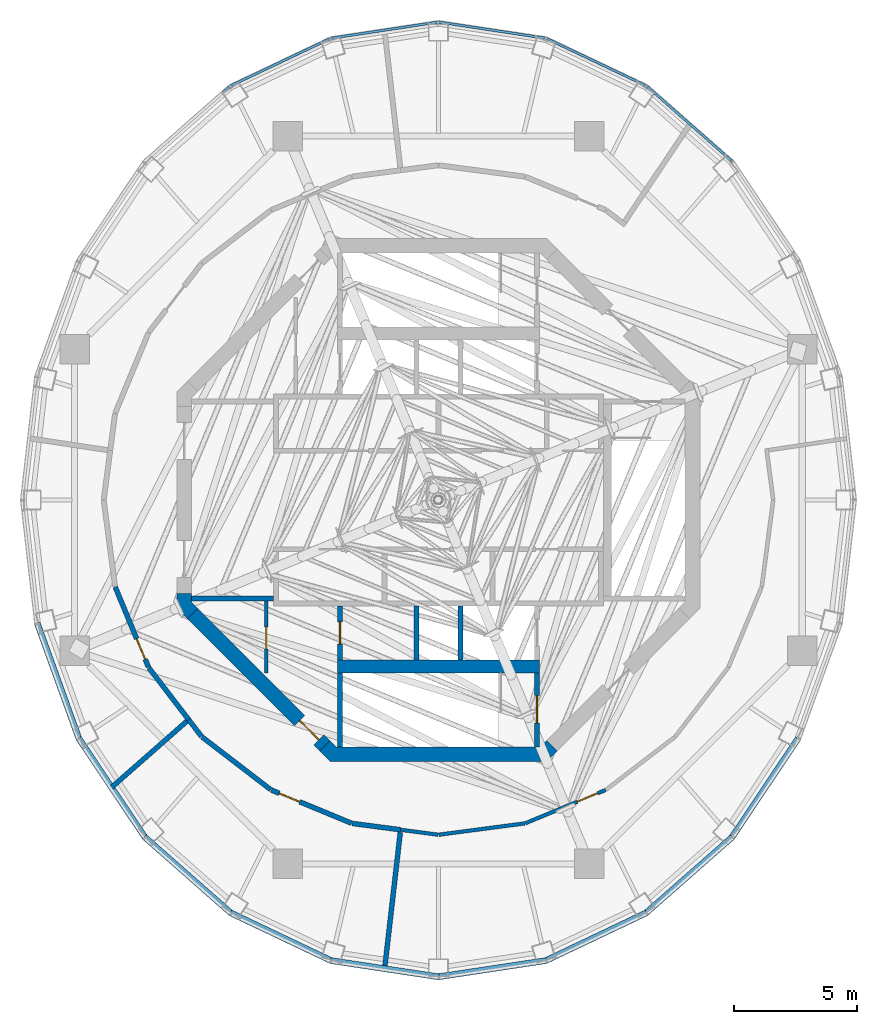
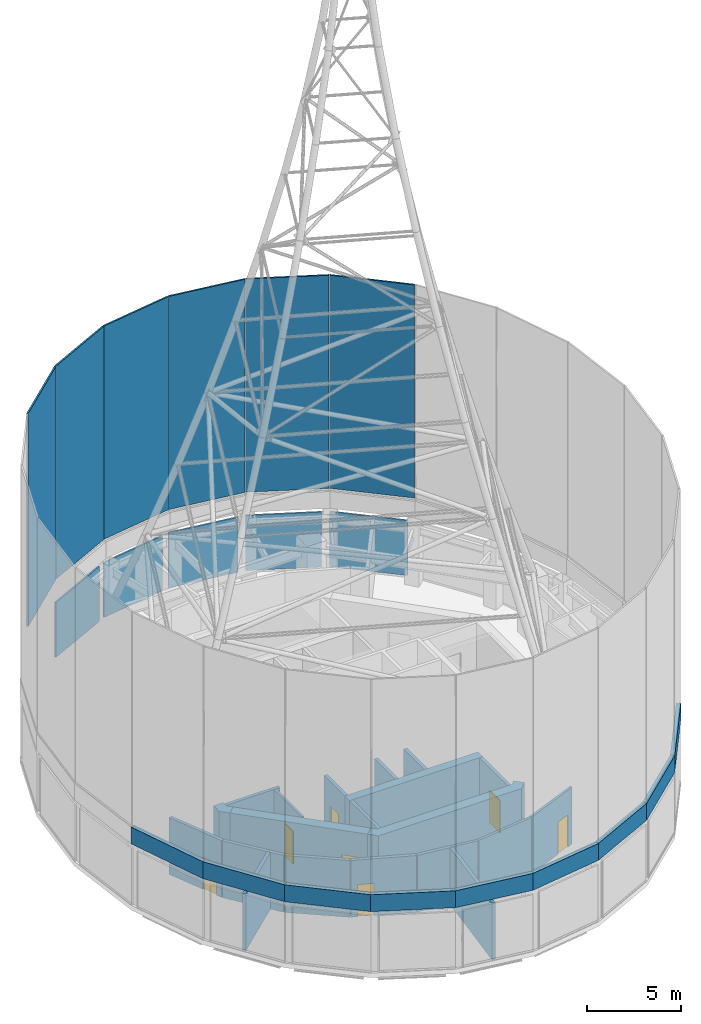
# One storey, part 21 of 25: 31 walls, 11 plates, 7 doors, 7 openings, 11 elements without a shape of their own.
"""IFC4 building model written with IfcOpenShell, lengths in metres."""

from ifc_helpers import new_model, si_unit, direction, frame, frame_2d, origin, origin_2d, place, context, subcontext, project, spatial, polyline, rectangle, outline, extrude, material, layer, layer_set, type_object, element, fill, aggregate, save


model = new_model("IFC4")

# Units and contexts
model_context = context("Model", 3, precision=1e-05, world=origin(), true_north=direction((0.0, 1.0)))
body_context = subcontext(model_context, "Body", "Model", "MODEL_VIEW")
ifc_project = project(units=[si_unit("LENGTHUNIT", "METRE"), si_unit("AREAUNIT", "SQUARE_METRE"), si_unit("VOLUMEUNIT", "CUBIC_METRE"), si_unit("PLANEANGLEUNIT", "RADIAN"), si_unit("MASSUNIT", "GRAM", prefix="KILO")], contexts=[model_context])

# Site, building, storey
site_placement = place(None, origin())
site = spatial("IfcSite", under=ifc_project, at=site_placement, CompositionType="ELEMENT")
building_placement = place(site_placement, origin())
building = spatial("IfcBuilding", under=site, at=building_placement, Name="Nagisa Residences", CompositionType="ELEMENT")
storey_placement = place(building_placement, frame((0.0, 0.0, 340.89990234375)))
storey = spatial("IfcBuildingStorey", under=building, at=storey_placement, Name="L84", CompositionType="ELEMENT", Elevation=340.89990234375)

# Curtain wall, plate
ifc_material_1 = material(Name="Aluminium curtain wall system", Category="aluminium")
ifc_layer_1 = layer(ifc_material_1, 0.159912109375)
ifc_layer_set_1 = layer_set([ifc_layer_1], Name="CW5 CURTAIN WALL")
curtain_wall_type = type_object("IfcCurtainWallType", Name="CW5 CURTAIN WALL", PredefinedType="NOTDEFINED", material=ifc_layer_set_1)
curtain_wall_1_placement = place(storey_placement, origin())
curtain_wall_1 = element("IfcCurtainWall", 1, at=curtain_wall_1_placement, inside=storey, type_object=curtain_wall_type, Name="cw:CW5:L84:03", PredefinedType="NOTDEFINED")
ifc_material_2 = material(Name="Aluminium louvre", Category="aluminium")
ifc_layer_2 = layer(ifc_material_2, 0.10009765625)
ifc_layer_set_2 = layer_set([ifc_layer_2], Name="CW5 LOUVRE PANEL")
plate_type = type_object("IfcPlateType", Name="CW5 LOUVRE PANEL", PredefinedType="CURTAIN_PANEL", material=ifc_layer_set_2)
plate_1_placement = place(storey_placement, frame((10.034912109375, 15.429931640625, 0.1201171875), z_axis=(0.0, 0.0, 1.0), x_axis=(-0.750650526795, 0.660699467703, 0.0)))
plate_1 = element("IfcPlate", 2, at=plate_1_placement, type_object=plate_type, Name="CW5 panel", PredefinedType="CURTAIN_PANEL", context=body_context, shape_type="SweptSolid", body=[
    extrude(rectangle(XDim=4.23046875, YDim=0.10009765625, at=origin_2d()), origin(), (0.0, 0.0, 1.0), 3.580078125),
])
aggregate(curtain_wall_1, [plate_1])

curtain_wall_2_placement = place(storey_placement, origin())
curtain_wall_2 = element("IfcCurtainWall", 3, at=curtain_wall_2_placement, inside=storey, type_object=curtain_wall_type, Name="cw:CW5:L84:04", PredefinedType="NOTDEFINED")
plate_2_placement = place(storey_placement, frame((6.2080078125, 17.887939453125, 0.1201171875), z_axis=(0.0, 0.0, 1.0), x_axis=(-0.903232929992, 0.429150642757, 0.0)))
plate_2 = element("IfcPlate", 4, at=plate_2_placement, type_object=plate_type, Name="CW5 panel", PredefinedType="CURTAIN_PANEL", context=body_context, shape_type="SweptSolid", body=[
    extrude(rectangle(XDim=4.079345703125, YDim=0.10009765625, at=origin_2d()), origin(), (0.0, 0.0, 1.0), 3.580078125),
])
aggregate(curtain_wall_2, [plate_2])

curtain_wall_3_placement = place(storey_placement, origin())
curtain_wall_3 = element("IfcCurtainWall", 5, at=curtain_wall_3_placement, inside=storey, type_object=curtain_wall_type, Name="cw:CW5:L84:05", PredefinedType="NOTDEFINED")
plate_3_placement = place(storey_placement, frame((1.960693359375, 19.123046875, 0.1201171875), z_axis=(0.0, 0.0, 1.0), x_axis=(-0.988788904158, 0.149320135997, 0.0)))
plate_3 = element("IfcPlate", 6, at=plate_3_placement, type_object=plate_type, Name="CW5 panel", PredefinedType="CURTAIN_PANEL", context=body_context, shape_type="SweptSolid", body=[
    extrude(rectangle(XDim=3.98974609375, YDim=0.10009765625, at=origin_2d()), origin(), (0.0, 0.0, 1.0), 3.580078125),
])
aggregate(curtain_wall_3, [plate_3])

curtain_wall_4_placement = place(storey_placement, origin())
curtain_wall_4 = element("IfcCurtainWall", 7, at=curtain_wall_4_placement, inside=storey, type_object=curtain_wall_type, Name="cw:CW5:L84:06", PredefinedType="NOTDEFINED")
plate_4_placement = place(storey_placement, frame((-2.41552734375, 19.054443359375, 0.1201171875), z_axis=(0.0, 0.0, 1.0), x_axis=(-0.988788904158, -0.149320135997, 0.0)))
plate_4 = element("IfcPlate", 8, at=plate_4_placement, type_object=plate_type, Name="CW5 panel", PredefinedType="CURTAIN_PANEL", context=body_context, shape_type="SweptSolid", body=[
    extrude(rectangle(XDim=3.98974609375, YDim=0.10009765625, at=origin_2d()), origin(), (0.0, 0.0, 1.0), 3.580078125),
])
aggregate(curtain_wall_4, [plate_4])

curtain_wall_5_placement = place(storey_placement, origin())
curtain_wall_5 = element("IfcCurtainWall", 9, at=curtain_wall_5_placement, inside=storey, type_object=curtain_wall_type, Name="cw:CW5:L84:07", PredefinedType="NOTDEFINED")
plate_5_placement = place(storey_placement, frame((-6.623291015625, 17.690673828125, 0.1201171875), z_axis=(0.0, 0.0, 1.0), x_axis=(-0.903232929992, -0.429150642757, 0.0)))
plate_5 = element("IfcPlate", 10, at=plate_5_placement, type_object=plate_type, Name="CW5 panel", PredefinedType="CURTAIN_PANEL", context=body_context, shape_type="SweptSolid", body=[
    extrude(rectangle(XDim=4.079345703125, YDim=0.10009765625, at=origin_2d()), origin(), (0.0, 0.0, 1.0), 3.580078125),
])
aggregate(curtain_wall_5, [plate_5])

curtain_wall_6_placement = place(storey_placement, origin())
curtain_wall_6 = element("IfcCurtainWall", 11, at=curtain_wall_6_placement, inside=storey, type_object=curtain_wall_type, Name="cw:CW5:L84:top0:03", PredefinedType="NOTDEFINED")
plate_6_placement = place(storey_placement, frame((10.18505859375, 15.2978515625, 5.22021484375), z_axis=(0.0, 0.0, 1.0), x_axis=(-0.750650526795, 0.660699467703, 0.0)))
plate_6 = element("IfcPlate", 12, at=plate_6_placement, type_object=plate_type, Name="CW5 panel", PredefinedType="CURTAIN_PANEL", context=body_context, shape_type="SweptSolid", body=[
    extrude(rectangle(XDim=4.63037109375, YDim=0.10009765625, at=origin_2d()), origin(), (0.0, 0.0, 1.0), 13.8798828125),
])
aggregate(curtain_wall_6, [plate_6])

curtain_wall_7_placement = place(storey_placement, origin())
curtain_wall_7 = element("IfcCurtainWall", 13, at=curtain_wall_7_placement, inside=storey, type_object=curtain_wall_type, Name="cw:CW5:L84:top0:04", PredefinedType="NOTDEFINED")
plate_7_placement = place(storey_placement, frame((6.388427734375, 17.80224609375, 5.22021484375), z_axis=(0.0, 0.0, 1.0), x_axis=(-0.903232929992, 0.429150642757, 0.0)))
plate_7 = element("IfcPlate", 14, at=plate_7_placement, type_object=plate_type, Name="CW5 panel", PredefinedType="CURTAIN_PANEL", context=body_context, shape_type="SweptSolid", body=[
    extrude(rectangle(XDim=4.479248046875, YDim=0.10009765625, at=origin_2d()), origin(), (0.0, 0.0, 1.0), 13.8798828125),
])
aggregate(curtain_wall_7, [plate_7])

curtain_wall_8_placement = place(storey_placement, origin())
curtain_wall_8 = element("IfcCurtainWall", 15, at=curtain_wall_8_placement, inside=storey, type_object=curtain_wall_type, Name="cw:CW5:L84:top0:05", PredefinedType="NOTDEFINED")
plate_8_placement = place(storey_placement, frame((2.158447265625, 19.09326171875, 5.22021484375), z_axis=(0.0, 0.0, 1.0), x_axis=(-0.988788904158, 0.149320135997, 0.0)))
plate_8 = element("IfcPlate", 16, at=plate_8_placement, type_object=plate_type, Name="CW5 panel", PredefinedType="CURTAIN_PANEL", context=body_context, shape_type="SweptSolid", body=[
    extrude(rectangle(XDim=4.389892578125, YDim=0.10009765625, at=origin_2d()), origin(), (0.0, 0.0, 1.0), 13.8798828125),
])
aggregate(curtain_wall_8, [plate_8])

curtain_wall_9_placement = place(storey_placement, origin())
curtain_wall_9 = element("IfcCurtainWall", 17, at=curtain_wall_9_placement, inside=storey, type_object=curtain_wall_type, Name="cw:CW5:L84:top0:06", PredefinedType="NOTDEFINED")
plate_9_placement = place(storey_placement, frame((-2.2177734375, 19.084228515625, 5.22021484375), z_axis=(0.0, 0.0, 1.0), x_axis=(-0.988788904158, -0.149320135997, 0.0)))
plate_9 = element("IfcPlate", 18, at=plate_9_placement, type_object=plate_type, Name="CW5 panel", PredefinedType="CURTAIN_PANEL", context=body_context, shape_type="SweptSolid", body=[
    extrude(rectangle(XDim=4.389892578125, YDim=0.10009765625, at=origin_2d()), origin(), (0.0, 0.0, 1.0), 13.8798828125),
])
aggregate(curtain_wall_9, [plate_9])

curtain_wall_10_placement = place(storey_placement, origin())
curtain_wall_10 = element("IfcCurtainWall", 19, at=curtain_wall_10_placement, inside=storey, type_object=curtain_wall_type, Name="cw:CW5:L84:top0:07", PredefinedType="NOTDEFINED")
plate_10_placement = place(storey_placement, frame((-6.442626953125, 17.7763671875, 5.22021484375), z_axis=(0.0, 0.0, 1.0), x_axis=(-0.903232929992, -0.429150642757, 0.0)))
plate_10 = element("IfcPlate", 20, at=plate_10_placement, type_object=plate_type, Name="CW5 panel", PredefinedType="CURTAIN_PANEL", context=body_context, shape_type="SweptSolid", body=[
    extrude(rectangle(XDim=4.479248046875, YDim=0.10009765625, at=origin_2d()), origin(), (0.0, 0.0, 1.0), 13.8798828125),
])
aggregate(curtain_wall_10, [plate_10])

curtain_wall_11_placement = place(storey_placement, origin())
curtain_wall_11 = element("IfcCurtainWall", 21, at=curtain_wall_11_placement, inside=storey, type_object=curtain_wall_type, Name="cw:CW5:L84:top0:08", PredefinedType="NOTDEFINED")
plate_11_placement = place(storey_placement, frame((-10.22998046875, 15.258056640625, 5.22021484375), z_axis=(0.0, 0.0, 1.0), x_axis=(-0.750650526795, -0.660699467703, 0.0)))
plate_11 = element("IfcPlate", 22, at=plate_11_placement, type_object=plate_type, Name="CW5 panel", PredefinedType="CURTAIN_PANEL", context=body_context, shape_type="SweptSolid", body=[
    extrude(rectangle(XDim=4.63037109375, YDim=0.10009765625, at=origin_2d()), origin(), (0.0, 0.0, 1.0), 13.8798828125),
])
aggregate(curtain_wall_11, [plate_11])

# Wall, opening, door
ifc_material_3 = material(Name="Gypsum board on steel studs", Category="steel")
ifc_layer_3 = layer(ifc_material_3, 0.14990234375)
ifc_layer_set_3 = layer_set([ifc_layer_3], Name="Core partition 150")
wall_type_1 = type_object("IfcWallType", Name="Core partition 150", PredefinedType="PARTITIONING", material=ifc_layer_set_3)
wall_1_placement = place(storey_placement, frame((-7.0, -7.02685546875, 0.0), z_axis=(0.0, 0.0, 1.0), x_axis=(0.0, 1.0, 0.0)))
wall_1 = element("IfcWall", 23, at=wall_1_placement, inside=storey, type_object=wall_type_1, Name="wall:L84:SWp", PredefinedType="PARTITIONING", context=body_context, shape_type="SweptSolid", body=[
    extrude(rectangle(XDim=2.9267578125, YDim=0.14990234375, at=frame_2d((1.46337890625, 0.0))), origin(), (0.0, 0.0, 1.0), 3.7001953125),
])
opening_1_placement = place(wall_1_placement, frame((0.97607421875, 0.0, 0.0)))
opening_1 = element("IfcOpeningElement", 24, at=opening_1_placement, cuts=wall_1, Name="Opening L84-C08", PredefinedType="OPENING", context=body_context, shape_type="SweptSolid", body=[
    extrude(rectangle(XDim=0.89990234375, YDim=2.10009765625, at=frame_2d((0.449951171875, 1.050048828125))), frame((0.0, 0.0849609375, 0.0), z_axis=(0.0, -1.0, 0.0), x_axis=(1.0, 0.0, 0.0)), (0.0, 0.0, 1.0), 0.169921875),
])
ifc_material_4 = material(Name="Steel fire door", Category="steel")
door_type_1 = type_object("IfcDoorType", Name="Fire door EI30 900x2100 single swing", OperationType="NOTDEFINED", PredefinedType="DOOR", material=ifc_material_4)
door_1_placement = place(opening_1_placement, origin())
door_1 = element("IfcDoor", 25, at=door_1_placement, inside=storey, type_object=door_type_1, Name="Valet store door L84", OperationType="SINGLE_SWING_LEFT", OverallHeight=2.10009765625, OverallWidth=0.89990234375, PredefinedType="DOOR", context=body_context, shape_type="SweptSolid", body=[
    extrude(rectangle(XDim=0.89990234375, YDim=2.10009765625, at=frame_2d((0.449951171875, 1.050048828125))), frame((0.0, 0.02490234375, 0.0), z_axis=(0.0, -1.0, 0.0), x_axis=(1.0, 0.0, 0.0)), (0.0, 0.0, 1.0), 0.050048828125),
])
fill(opening_1, door_1)

# Wall
ifc_material_5 = material(Name="Gypsum board on steel studs", Category="steel")
ifc_layer_4 = layer(ifc_material_5, 0.199951171875)
ifc_layer_set_4 = layer_set([ifc_layer_4], Name="Core partition 200")
wall_type_2 = type_object("IfcWallType", Name="Core partition 200", PredefinedType="PARTITIONING", material=ifc_layer_set_4)
wall_2_placement = place(storey_placement, frame((-10.024658203125, -4.0, 0.0), z_axis=(0.0, 0.0, 1.0), x_axis=(1.0, 0.0, 0.0)))
element("IfcWall", 26, at=wall_2_placement, inside=storey, type_object=wall_type_2, Name="wall:L84:PSW", PredefinedType="PARTITIONING", context=body_context, shape_type="SweptSolid", body=[
    extrude(rectangle(XDim=3.32470703125, YDim=0.199951171875, at=frame_2d((1.662353515625, 0.0))), origin(), (0.0, 0.0, 1.0), 3.7001953125),
])

# Wall, opening, door
ifc_material_6 = material(Name="Concrete C60", Category="concrete")
ifc_layer_5 = layer(ifc_material_6, 0.60009765625)
ifc_layer_set_5 = layer_set([ifc_layer_5], Name="Core shear wall 600")
wall_type_3 = type_object("IfcWallType", Name="Core shear wall 600", PredefinedType="SHEAR", material=ifc_layer_set_5)
wall_3_placement = place(storey_placement, frame((-9.98828125, -4.613037109375, 0.0), z_axis=(0.0, 0.0, 1.0), x_axis=(0.707106781187, -0.707106781187, 0.0)))
wall_3 = element("IfcWall", 27, at=wall_3_placement, inside=storey, type_object=wall_type_3, Name="wall:L84:core:flat5", PredefinedType="SHEAR", context=body_context, shape_type="SweptSolid", body=[
    extrude(rectangle(XDim=7.601806640625, YDim=0.60009765625, at=frame_2d((3.80078125, 0.0))), origin(), (0.0, 0.0, 1.0), 3.7001953125),
])
opening_2_placement = place(wall_3_placement, frame((6.15087890625, 0.0, 0.0)))
opening_2 = element("IfcOpeningElement", 28, at=opening_2_placement, cuts=wall_3, Name="Opening L84-C21", PredefinedType="OPENING", context=body_context, shape_type="SweptSolid", body=[
    extrude(rectangle(XDim=1.10009765625, YDim=2.10009765625, at=frame_2d((0.550048828125, 1.050048828125))), frame((0.0, 0.31005859375, 0.0), z_axis=(0.0, -1.0, 0.0), x_axis=(1.0, 0.0, 0.0)), (0.0, 0.0, 1.0), 0.6201171875),
])
ifc_material_7 = material(Name="Steel fire door", Category="steel")
door_type_2 = type_object("IfcDoorType", Name="Fire door EI60 1100x2100 single swing", OperationType="NOTDEFINED", PredefinedType="DOOR", material=ifc_material_7)
door_2_placement = place(opening_2_placement, origin())
door_2 = element("IfcDoor", 29, at=door_2_placement, inside=storey, type_object=door_type_2, Name="Housekeeping lobby door L84", OperationType="SINGLE_SWING_LEFT", OverallHeight=2.10009765625, OverallWidth=1.10009765625, PredefinedType="DOOR", context=body_context, shape_type="SweptSolid", body=[
    extrude(rectangle(XDim=1.10009765625, YDim=2.10009765625, at=frame_2d((0.550048828125, 1.050048828125))), frame((0.0, 0.02490234375, 0.0), z_axis=(0.0, -1.0, 0.0), x_axis=(1.0, 0.0, 0.0)), (0.0, 0.0, 1.0), 0.050048828125),
])
fill(opening_2, door_2)

# Walls
wall_4_placement = place(storey_placement, origin())
element("IfcWall", 30, at=wall_4_placement, inside=storey, type_object=wall_type_3, Name="wall:L84:core:pier4", PredefinedType="SHEAR", context=body_context, shape_type="SweptSolid", body=[
    extrude(outline(polyline([(-10.62451171875, -3.80078125), (-10.024658203125, -3.80078125), (-10.024658203125, -4.15234375), (-9.776123046875, -4.40087890625), (-10.200439453125, -4.8251953125), (-10.62451171875, -4.40087890625), (-10.62451171875, -3.80078125)])), origin(), (0.0, 0.0, 1.0), 3.7001953125),
])
wall_5_placement = place(storey_placement, origin())
element("IfcWall", 31, at=wall_5_placement, inside=storey, type_object=wall_type_3, Name="wall:L84:core:flat6", PredefinedType="SHEAR", context=body_context, shape_type="SweptSolid", body=[
    extrude(outline(polyline([(-4.15234375, -10.024658203125), (4.15234375, -10.024658203125), (4.40087890625, -9.776123046875), (4.8251953125, -10.200439453125), (4.40087890625, -10.62451171875), (-4.40087890625, -10.62451171875), (-4.8251953125, -10.200439453125), (-4.40087890625, -9.776123046875), (-4.15234375, -10.024658203125)])), origin(), (0.0, 0.0, 1.0), 3.7001953125),
])

# Wall, opening, door
ifc_material_8 = material(Name="Concrete C60", Category="concrete")
ifc_layer_6 = layer(ifc_material_8, 0.199951171875)
ifc_layer_set_6 = layer_set([ifc_layer_6], Name="Lift shaft wall 200")
wall_type_4 = type_object("IfcWallType", Name="Lift shaft wall 200", PredefinedType="SOLIDWALL", material=ifc_layer_set_6)
wall_6_placement = place(storey_placement, frame((-4.0, -6.5, 0.0), z_axis=(0.0, 0.0, 1.0), x_axis=(0.0, 1.0, 0.0)))
wall_6 = element("IfcWall", 32, at=wall_6_placement, inside=storey, type_object=wall_type_4, Name="wall:L84:Sb4", PredefinedType="SOLIDWALL", context=body_context, shape_type="SweptSolid", body=[
    extrude(rectangle(XDim=2.199951171875, YDim=0.199951171875, at=frame_2d((1.10009765625, 0.0))), origin(), (0.0, 0.0, 1.0), 3.7001953125),
])
opening_3_placement = place(wall_6_placement, frame((0.64990234375, 0.0, 0.0)))
opening_3 = element("IfcOpeningElement", 33, at=opening_3_placement, cuts=wall_6, Name="Opening L84-C09", PredefinedType="OPENING", context=body_context, shape_type="SweptSolid", body=[
    extrude(rectangle(XDim=0.89990234375, YDim=2.10009765625, at=frame_2d((0.449951171875, 1.050048828125))), frame((0.0, 0.10986328125, 0.0), z_axis=(0.0, -1.0, 0.0), x_axis=(1.0, 0.0, 0.0)), (0.0, 0.0, 1.0), 0.219970703125),
])
door_3_placement = place(opening_3_placement, frame((0.89990234375, 0.0, 0.0), x_axis=(-1.0, 0.0, 0.0)))
door_3 = element("IfcDoor", 34, at=door_3_placement, inside=storey, type_object=door_type_1, Name="Refuse room door L84", OperationType="SINGLE_SWING_RIGHT", OverallHeight=2.10009765625, OverallWidth=0.89990234375, PredefinedType="DOOR", context=body_context, shape_type="SweptSolid", body=[
    extrude(rectangle(XDim=0.89990234375, YDim=2.10009765625, at=frame_2d((0.449951171875, 1.050048828125))), frame((0.0, 0.02490234375, 0.0), z_axis=(0.0, -1.0, 0.0), x_axis=(1.0, 0.0, 0.0)), (0.0, 0.0, 1.0), 0.050048828125),
])
fill(opening_3, door_3)

# Walls
for number, where, z_axis, x_axis, name in (
    (35, (-0.89990234375, -6.5, 0.0), (0.0, 0.0, 1.0), (0.0, 1.0, 0.0), "wall:L84:Sb1"),
    (36, (0.89990234375, -6.5, 0.0), (0.0, 0.0, 1.0), (0.0, 1.0, 0.0), "wall:L84:Sb2"),
):
    element("IfcWall", number, at=place(storey_placement, frame(where, z_axis=z_axis, x_axis=x_axis)), inside=storey, type_object=wall_type_4, Name=name, PredefinedType="SOLIDWALL", context=body_context, shape_type="SweptSolid", body=[
        extrude(rectangle(XDim=2.199951171875, YDim=0.199951171875, at=frame_2d((1.10009765625, 0.0))), origin(), (0.0, 0.0, 1.0), 3.7001953125),
    ])
ifc_material_9 = material(Name="Precast concrete C40/50", Category="concrete")
ifc_layer_7 = layer(ifc_material_9, 0.25)
ifc_layer_set_7 = layer_set([ifc_layer_7], Name="PARAPET 250")
wall_type_5 = type_object("IfcWallType", Name="PARAPET 250", PredefinedType="PARAPET", material=ifc_layer_set_7)
wall_7_placement = place(storey_placement, frame((-16.30322265625, -5.00439453125, 4.0), z_axis=(0.0, 0.0, 1.0), x_axis=(0.339625267064, -0.940560831617, 0.0)))
element("IfcWall", 37, at=wall_7_placement, inside=storey, type_object=wall_type_5, Name="parapet:L84:13", PredefinedType="PARAPET", context=body_context, shape_type="SweptSolid", body=[
    extrude(rectangle(XDim=5.000244140625, YDim=0.25, at=frame_2d((2.5, 0.0))), origin(), (0.0, 0.0, 1.0), 1.10009765625),
])
wall_8_placement = place(storey_placement, frame((-14.61865234375, -9.680419921875, 4.0), z_axis=(0.0, 0.0, 1.0), x_axis=(0.55602135043, -0.831168008207, 0.0)))
element("IfcWall", 38, at=wall_8_placement, inside=storey, type_object=wall_type_5, Name="parapet:L84:14", PredefinedType="PARAPET", context=body_context, shape_type="SweptSolid", body=[
    extrude(rectangle(XDim=4.85888671875, YDim=0.25, at=frame_2d((2.429443359375, 0.0))), origin(), (0.0, 0.0, 1.0), 1.10009765625),
])
wall_9_placement = place(storey_placement, frame((-11.938232421875, -13.69482421875, 4.0), z_axis=(0.0, 0.0, 1.0), x_axis=(0.750648459448, -0.660701816502, 0.0)))
element("IfcWall", 39, at=wall_9_placement, inside=storey, type_object=wall_type_5, Name="parapet:L84:15", PredefinedType="PARAPET", context=body_context, shape_type="SweptSolid", body=[
    extrude(rectangle(XDim=4.690185546875, YDim=0.25, at=frame_2d((2.34521484375, 0.0))), origin(), (0.0, 0.0, 1.0), 1.10009765625),
])
wall_10_placement = place(storey_placement, frame((-8.4462890625, -16.774658203125, 4.0), z_axis=(0.0, 0.0, 1.0), x_axis=(0.903238939001, -0.429137995373, 0.0)))
element("IfcWall", 40, at=wall_10_placement, inside=storey, type_object=wall_type_5, Name="parapet:L84:16", PredefinedType="PARAPET", context=body_context, shape_type="SweptSolid", body=[
    extrude(rectangle(XDim=4.539306640625, YDim=0.25, at=frame_2d((2.26953125, 0.0))), origin(), (0.0, 0.0, 1.0), 1.10009765625),
])
for number, where, z_axis, x_axis, name in (
    (41, (-4.38134765625, -18.7119140625, 4.0), (0.0, 0.0, 1.0), (0.988785332706, -0.149343784021, 0.0), "parapet:L84:17"),
    (42, (-0.0185546875, -19.37646484375, 4.0), (0.0, 0.0, 1.0), (0.988785332706, 0.149343784021, 0.0), "parapet:L84:18"),
):
    element("IfcWall", number, at=place(storey_placement, frame(where, z_axis=z_axis, x_axis=x_axis)), inside=storey, type_object=wall_type_5, Name=name, PredefinedType="PARAPET", context=body_context, shape_type="SweptSolid", body=[
        extrude(rectangle(XDim=4.44970703125, YDim=0.25, at=frame_2d((2.224853515625, 0.0))), origin(), (0.0, 0.0, 1.0), 1.10009765625),
    ])
wall_11_placement = place(storey_placement, frame((4.34619140625, -18.72265625, 4.0), z_axis=(0.0, 0.0, 1.0), x_axis=(0.903238939001, 0.429137995373, 0.0)))
element("IfcWall", 43, at=wall_11_placement, inside=storey, type_object=wall_type_5, Name="parapet:L84:19", PredefinedType="PARAPET", context=body_context, shape_type="SweptSolid", body=[
    extrude(rectangle(XDim=4.539306640625, YDim=0.25, at=frame_2d((2.26953125, 0.0))), origin(), (0.0, 0.0, 1.0), 1.10009765625),
])
wall_12_placement = place(storey_placement, frame((8.41748046875, -16.793701171875, 4.0), z_axis=(0.0, 0.0, 1.0), x_axis=(0.750648459448, 0.660701816502, 0.0)))
element("IfcWall", 44, at=wall_12_placement, inside=storey, type_object=wall_type_5, Name="parapet:L84:20", PredefinedType="PARAPET", context=body_context, shape_type="SweptSolid", body=[
    extrude(rectangle(XDim=4.690185546875, YDim=0.25, at=frame_2d((2.34521484375, 0.0))), origin(), (0.0, 0.0, 1.0), 1.10009765625),
])
wall_13_placement = place(storey_placement, frame((11.9169921875, -13.718994140625, 4.0), z_axis=(0.0, 0.0, 1.0), x_axis=(0.55602135043, 0.831168008207, 0.0)))
element("IfcWall", 45, at=wall_13_placement, inside=storey, type_object=wall_type_5, Name="parapet:L84:21", PredefinedType="PARAPET", context=body_context, shape_type="SweptSolid", body=[
    extrude(rectangle(XDim=4.85888671875, YDim=0.25, at=frame_2d((2.429443359375, 0.0))), origin(), (0.0, 0.0, 1.0), 1.10009765625),
])

# Wall, opening, door
ifc_material_10 = material(Name="Gypsum board on steel studs", Category="steel")
ifc_layer_8 = layer(ifc_material_10, 0.199951171875)
ifc_layer_set_8 = layer_set([ifc_layer_8], Name="Plant room wall EI120 200")
wall_type_6 = type_object("IfcWallType", Name="Plant room wall EI120 200", PredefinedType="PARTITIONING", material=ifc_layer_set_8)
wall_14_placement = place(storey_placement, frame((-11.78369140625, -6.785888671875, 0.0), z_axis=(0.0, 0.0, 1.0), x_axis=(-0.382723413813, 0.92386297064, 0.0)))
wall_14 = element("IfcWall", 46, at=wall_14_placement, inside=storey, type_object=wall_type_6, Name="wall:L84:am014", PredefinedType="PARTITIONING", context=body_context, shape_type="SweptSolid", body=[
    extrude(rectangle(XDim=3.52001953125, YDim=0.199951171875, at=frame_2d((1.760009765625, 0.0))), origin(), (0.0, 0.0, 1.0), 3.7001953125),
])
opening_4_placement = place(wall_14_placement, frame((0.34228515625, 0.0, 0.0)))
opening_4 = element("IfcOpeningElement", 47, at=opening_4_placement, cuts=wall_14, Name="Opening L84-A03", PredefinedType="OPENING", context=body_context, shape_type="SweptSolid", body=[
    extrude(rectangle(XDim=0.89990234375, YDim=2.10009765625, at=frame_2d((0.449951171875, 1.050048828125))), frame((0.0, 0.10986328125, 0.0), z_axis=(0.0, -1.0, 0.0), x_axis=(1.0, 0.0, 0.0)), (0.0, 0.0, 1.0), 0.219970703125),
])
ifc_material_11 = material(Name="Steel fire door", Category="steel")
door_type_3 = type_object("IfcDoorType", Name="Fire door EI120 900x2100 single swing", OperationType="NOTDEFINED", PredefinedType="DOOR", material=ifc_material_11)
door_4_placement = place(opening_4_placement, origin())
door_4 = element("IfcDoor", 48, at=door_4_placement, inside=storey, type_object=door_type_3, Name="Lightning protection plant room door", OperationType="SINGLE_SWING_LEFT", OverallHeight=2.10009765625, OverallWidth=0.89990234375, PredefinedType="DOOR", context=body_context, shape_type="SweptSolid", body=[
    extrude(rectangle(XDim=0.89990234375, YDim=2.10009765625, at=frame_2d((0.449951171875, 1.050048828125))), frame((0.0, 0.02490234375, 0.0), z_axis=(0.0, -1.0, 0.0), x_axis=(1.0, 0.0, 0.0)), (0.0, 0.0, 1.0), 0.050048828125),
])
fill(opening_4, door_4)

# Walls
wall_15_placement = place(storey_placement, frame((-10.22412109375, -8.9892578125, 0.0), z_axis=(0.0, 0.0, 1.0), x_axis=(-0.750994766266, -0.660308156122, 0.0)))
element("IfcWall", 49, at=wall_15_placement, inside=storey, type_object=wall_type_6, Name="wall:L84:am016", PredefinedType="PARTITIONING", context=body_context, shape_type="SweptSolid", body=[
    extrude(rectangle(XDim=4.097412109375, YDim=0.199951171875, at=frame_2d((2.048828125, 0.0))), origin(), (0.0, 0.0, 1.0), 3.7001953125),
])
wall_16_placement = place(storey_placement, frame((-10.14892578125, -8.923095703125, 0.0), z_axis=(0.0, 0.0, 1.0), x_axis=(-0.608699260048, 0.793401040343, 0.0)))
element("IfcWall", 50, at=wall_16_placement, inside=storey, type_object=wall_type_6, Name="wall:L84:am017", PredefinedType="PARTITIONING", context=body_context, shape_type="SweptSolid", body=[
    extrude(rectangle(XDim=2.660888671875, YDim=0.199951171875, at=frame_2d((1.33056640625, 0.0))), origin(), (0.0, 0.0, 1.0), 3.7001953125),
])
wall_17_placement = place(storey_placement, frame((-9.6259765625, -9.604736328125, 0.0), z_axis=(0.0, 0.0, 1.0), x_axis=(-0.608694005511, 0.793405071609, 0.0)))
element("IfcWall", 51, at=wall_17_placement, inside=storey, type_object=wall_type_6, Name="wall:L84:am018", PredefinedType="PARTITIONING", context=body_context, shape_type="SweptSolid", body=[
    extrude(rectangle(XDim=0.859130859375, YDim=0.199951171875, at=frame_2d((0.4296875, 0.0))), origin(), (0.0, 0.0, 1.0), 3.7001953125),
])
wall_18_placement = place(storey_placement, frame((-6.81201171875, -11.7685546875, 0.0), z_axis=(0.0, 0.0, 1.0), x_axis=(-0.793402024283, 0.608697977542, 0.0)))
element("IfcWall", 52, at=wall_18_placement, inside=storey, type_object=wall_type_6, Name="wall:L84:am020", PredefinedType="PARTITIONING", context=body_context, shape_type="SweptSolid", body=[
    extrude(rectangle(XDim=3.52001953125, YDim=0.199951171875, at=frame_2d((1.760009765625, 0.0))), origin(), (0.0, 0.0, 1.0), 3.7001953125),
])

# Wall, opening, door
wall_19_placement = place(storey_placement, frame((-3.533935546875, -13.130859375, 0.0), z_axis=(0.0, 0.0, 1.0), x_axis=(-0.92386297064, 0.382723413813, 0.0)))
wall_19 = element("IfcWall", 53, at=wall_19_placement, inside=storey, type_object=wall_type_6, Name="wall:L84:am022", PredefinedType="PARTITIONING", context=body_context, shape_type="SweptSolid", body=[
    extrude(rectangle(XDim=3.52001953125, YDim=0.199951171875, at=frame_2d((1.760009765625, 0.0))), origin(), (0.0, 0.0, 1.0), 3.7001953125),
])
opening_5_placement = place(wall_19_placement, frame((2.277587890625, 0.0, 0.0)))
opening_5 = element("IfcOpeningElement", 54, at=opening_5_placement, cuts=wall_19, Name="Opening L84-A04", PredefinedType="OPENING", context=body_context, shape_type="SweptSolid", body=[
    extrude(rectangle(XDim=0.89990234375, YDim=2.10009765625, at=frame_2d((0.449951171875, 1.050048828125))), frame((0.0, 0.10986328125, 0.0), z_axis=(0.0, -1.0, 0.0), x_axis=(1.0, 0.0, 0.0)), (0.0, 0.0, 1.0), 0.219970703125),
])
door_5_placement = place(opening_5_placement, origin())
door_5 = element("IfcDoor", 55, at=door_5_placement, inside=storey, type_object=door_type_3, Name="Beacon plant control room door", OperationType="SINGLE_SWING_RIGHT", OverallHeight=2.10009765625, OverallWidth=0.89990234375, PredefinedType="DOOR", context=body_context, shape_type="SweptSolid", body=[
    extrude(rectangle(XDim=0.89990234375, YDim=2.10009765625, at=frame_2d((0.449951171875, 1.050048828125))), frame((0.0, 0.02490234375, 0.0), z_axis=(0.0, -1.0, 0.0), x_axis=(1.0, 0.0, 0.0)), (0.0, 0.0, 1.0), 0.050048828125),
])
fill(opening_5, door_5)

# Walls
wall_20_placement = place(storey_placement, frame((-2.189208984375, -19.068359375, 0.0), z_axis=(0.0, 0.0, 1.0), x_axis=(0.114057329834, 0.993474169524, 0.0)))
element("IfcWall", 56, at=wall_20_placement, inside=storey, type_object=wall_type_6, Name="wall:L84:am024", PredefinedType="PARTITIONING", context=body_context, shape_type="SweptSolid", body=[
    extrude(rectangle(XDim=5.608154296875, YDim=0.199951171875, at=frame_2d((2.80419921875, 0.0))), origin(), (0.0, 0.0, 1.0), 3.7001953125),
])
wall_21_placement = place(storey_placement, frame((-1.5380859375, -13.3974609375, 0.0), z_axis=(0.0, 0.0, 1.0), x_axis=(-0.991454295543, 0.130454512571, 0.0)))
element("IfcWall", 57, at=wall_21_placement, inside=storey, type_object=wall_type_6, Name="wall:L84:am025", PredefinedType="PARTITIONING", context=body_context, shape_type="SweptSolid", body=[
    extrude(rectangle(XDim=1.983642578125, YDim=0.199951171875, at=frame_2d((0.99169921875, 0.0))), origin(), (0.0, 0.0, 1.0), 3.7001953125),
])
ifc_material_12 = material(Name="Gypsum board on steel studs", Category="steel")
ifc_layer_9 = layer(ifc_material_12, 0.14990234375)
ifc_layer_set_9 = layer_set([ifc_layer_9], Name="Room partition EI60 150")
wall_type_7 = type_object("IfcWallType", Name="Room partition EI60 150", PredefinedType="PARTITIONING", material=ifc_layer_set_9)
wall_22_placement = place(storey_placement, frame((-0.01171875, -13.598388671875, 0.0), z_axis=(0.0, 0.0, 1.0), x_axis=(-0.991446737275, 0.130511942543, 0.0)))
element("IfcWall", 58, at=wall_22_placement, inside=storey, type_object=wall_type_7, Name="wall:L84:am000", PredefinedType="PARTITIONING", context=body_context, shape_type="SweptSolid", body=[
    extrude(rectangle(XDim=1.53955078125, YDim=0.14990234375, at=frame_2d((0.769775390625, 0.0))), origin(), (0.0, 0.0, 1.0), 3.7001953125),
])
wall_23_placement = place(storey_placement, frame((3.508056640625, -13.13818359375, 0.0), z_axis=(0.0, 0.0, 1.0), x_axis=(-0.991448403586, -0.130499283623, 0.0)))
element("IfcWall", 59, at=wall_23_placement, inside=storey, type_object=wall_type_7, Name="wall:L84:am001", PredefinedType="PARTITIONING", context=body_context, shape_type="SweptSolid", body=[
    extrude(rectangle(XDim=3.526611328125, YDim=0.14990234375, at=frame_2d((1.76318359375, 0.0))), origin(), (0.0, 0.0, 1.0), 3.7001953125),
])

# Wall, opening, door
wall_24_placement = place(storey_placement, frame((6.7890625, -11.782470703125, 0.0), z_axis=(0.0, 0.0, 1.0), x_axis=(-0.923881838111, -0.382677866108, 0.0)))
wall_24 = element("IfcWall", 60, at=wall_24_placement, inside=storey, type_object=wall_type_7, Name="wall:L84:am002", PredefinedType="PARTITIONING", context=body_context, shape_type="SweptSolid", body=[
    extrude(rectangle(XDim=3.52685546875, YDim=0.14990234375, at=frame_2d((1.763427734375, 0.0))), origin(), (0.0, 0.0, 1.0), 3.7001953125),
])
opening_6_placement = place(wall_24_placement, frame((0.345703125, 0.0, 0.0)))
opening_6 = element("IfcOpeningElement", 61, at=opening_6_placement, cuts=wall_24, Name="Opening L84-A05", PredefinedType="OPENING", context=body_context, shape_type="SweptSolid", body=[
    extrude(rectangle(XDim=0.89990234375, YDim=2.10009765625, at=frame_2d((0.449951171875, 1.050048828125))), frame((0.0, 0.0849609375, 0.0), z_axis=(0.0, -1.0, 0.0), x_axis=(1.0, 0.0, 0.0)), (0.0, 0.0, 1.0), 0.169921875),
])
door_6_placement = place(opening_6_placement, frame((0.89990234375, 0.0, 0.0), x_axis=(-1.0, 0.0, 0.0)))
door_6 = element("IfcDoor", 62, at=door_6_placement, inside=storey, type_object=door_type_1, Name="Roof plant store door", OperationType="SINGLE_SWING_RIGHT", OverallHeight=2.10009765625, OverallWidth=0.89990234375, PredefinedType="DOOR", context=body_context, shape_type="SweptSolid", body=[
    extrude(rectangle(XDim=0.89990234375, YDim=2.10009765625, at=frame_2d((0.449951171875, 1.050048828125))), frame((0.0, 0.02490234375, 0.0), z_axis=(0.0, -1.0, 0.0), x_axis=(1.0, 0.0, 0.0)), (0.0, 0.0, 1.0), 0.050048828125),
])
fill(opening_6, door_6)

ifc_material_13 = material(Name="Concrete C60", Category="concrete")
ifc_layer_10 = layer(ifc_material_13, 0.199951171875)
ifc_layer_set_10 = layer_set([ifc_layer_10], Name="Stair enclosure wall 200")
wall_type_8 = type_object("IfcWallType", Name="Stair enclosure wall 200", PredefinedType="SOLIDWALL", material=ifc_layer_set_10)
wall_25_placement = place(storey_placement, frame((4.0, -10.024658203125, 0.0), z_axis=(0.0, 0.0, 1.0), x_axis=(0.0, 1.0, 0.0)))
wall_25 = element("IfcWall", 63, at=wall_25_placement, inside=storey, type_object=wall_type_8, Name="wall:L84:SS_e", PredefinedType="SOLIDWALL", context=body_context, shape_type="SweptSolid", body=[
    extrude(rectangle(XDim=3.0, YDim=0.199951171875, at=frame_2d((1.5, 0.0))), origin(), (0.0, 0.0, 1.0), 3.7001953125),
])
opening_7_placement = place(wall_25_placement, frame((0.974609375, 0.0, 0.0)))
opening_7 = element("IfcOpeningElement", 64, at=opening_7_placement, cuts=wall_25, Name="Opening L84-C06", PredefinedType="OPENING", context=body_context, shape_type="SweptSolid", body=[
    extrude(rectangle(XDim=1.10009765625, YDim=2.10009765625, at=frame_2d((0.550048828125, 1.050048828125))), frame((0.0, 0.10986328125, 0.0), z_axis=(0.0, -1.0, 0.0), x_axis=(1.0, 0.0, 0.0)), (0.0, 0.0, 1.0), 0.219970703125),
])
ifc_material_14 = material(Name="Steel fire door", Category="steel")
door_type_4 = type_object("IfcDoorType", Name="Fire door EI90 1100x2100 single swing", OperationType="NOTDEFINED", PredefinedType="DOOR", material=ifc_material_14)
door_7_placement = place(opening_7_placement, origin())
door_7 = element("IfcDoor", 65, at=door_7_placement, inside=storey, type_object=door_type_4, Name="Stair door ST-S L84", OperationType="SINGLE_SWING_LEFT", OverallHeight=2.10009765625, OverallWidth=1.10009765625, PredefinedType="DOOR", context=body_context, shape_type="SweptSolid", body=[
    extrude(rectangle(XDim=1.10009765625, YDim=2.10009765625, at=frame_2d((0.550048828125, 1.050048828125))), frame((0.0, 0.02490234375, 0.0), z_axis=(0.0, -1.0, 0.0), x_axis=(1.0, 0.0, 0.0)), (0.0, 0.0, 1.0), 0.050048828125),
])
fill(opening_7, door_7)

# Walls
wall_26_placement = place(storey_placement, origin())
element("IfcWall", 66, at=wall_26_placement, inside=storey, type_object=wall_type_8, Name="wall:L84:SS_w", PredefinedType="SOLIDWALL", context=body_context, shape_type="SweptSolid", body=[
    extrude(outline(polyline([(-3.89990234375, -10.024658203125), (-4.10009765625, -10.024658203125), (-4.10009765625, -7.024658203125), (-3.89990234375, -7.024658203125), (-3.89990234375, -10.024658203125)])), origin(), (0.0, 0.0, 1.0), 3.7001953125),
])
wall_27_placement = place(storey_placement, origin())
element("IfcWall", 67, at=wall_27_placement, inside=storey, type_object=wall_type_8, Name="wall:L84:SS_n", PredefinedType="SOLIDWALL", context=body_context, shape_type="SweptSolid", body=[
    extrude(outline(polyline([(4.10009765625, -7.024658203125), (-4.10009765625, -7.024658203125), (-4.10009765625, -6.5), (4.10009765625, -6.5), (4.10009765625, -7.024658203125)])), origin(), (0.0, 0.0, 1.0), 3.7001953125),
])

save(model, "model.ifc")
